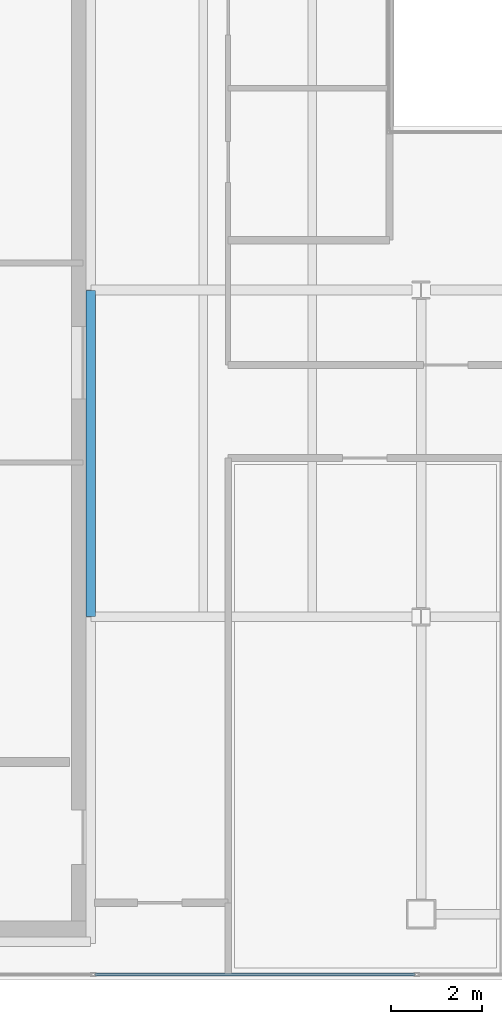
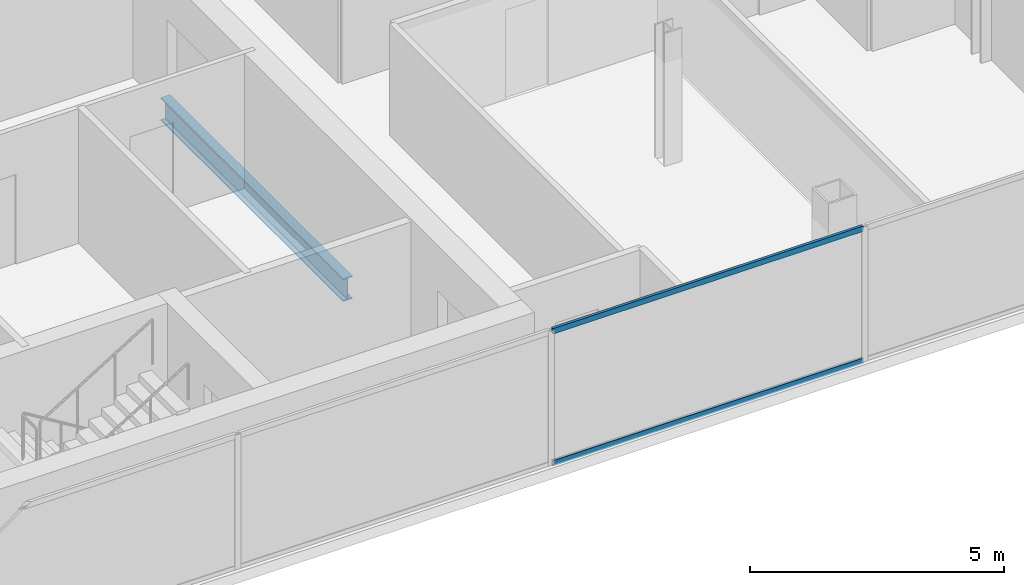
# One storey, part 4 of 23: 2 members, 1 beam, 1 element without a shape of its own.
"""IFC4 building model written with IfcOpenShell, lengths in metres."""

from ifc_helpers import new_model, si_unit, direction, frame, origin, origin_2d, place, context, subcontext, project, spatial, hollow_rectangle, i_section, extrude, material, material_profile, profile_set, type_object, element, aggregate, save


model = new_model("IFC4")

# Units and contexts
model_context = context("Model", 3, precision=1e-05, world=origin(), true_north=direction((0.0, 1.0)))
body_context = subcontext(model_context, "Body", "Model", "MODEL_VIEW")
ifc_project = project(units=[si_unit("LENGTHUNIT", "METRE"), si_unit("AREAUNIT", "SQUARE_METRE"), si_unit("VOLUMEUNIT", "CUBIC_METRE"), si_unit("PLANEANGLEUNIT", "RADIAN"), si_unit("MASSUNIT", "GRAM", prefix="KILO")], contexts=[model_context])

# Site, building, storey
site_placement = place(None, origin())
site = spatial("IfcSite", under=ifc_project, at=site_placement, CompositionType="ELEMENT")
building_placement = place(site_placement, origin())
building = spatial("IfcBuilding", under=site, at=building_placement, Name="Cobrela Telecom Tower", CompositionType="ELEMENT")
storey_placement = place(building_placement, frame((0.0, 0.0, 262.14990234375)))
storey = spatial("IfcBuildingStorey", under=building, at=storey_placement, Name="L68", CompositionType="ELEMENT", Elevation=262.14990234375)

# Beam
ifc_material_1 = material(Name="Steel ASTM A992 Grade 50", Category="steel")
ifc_material_profile_1 = material_profile(ifc_material_1, i_section(OverallWidth=0.212890625, OverallDepth=0.549072265625, WebThickness=0.0146484375, FlangeThickness=0.023681640625, FilletRadius=0.013916015625, at=origin_2d()), Name="W21X93")
ifc_profile_set_1 = profile_set([ifc_material_profile_1], Name="Steel ASTM A992 Grade 50")
beam_type = type_object("IfcBeamType", Name="BM-GIRD-08", PredefinedType="USERDEFINED", material=ifc_profile_set_1)
beam_placement = place(storey_placement, frame((14.320068359375, 14.405029296875, -0.534423828125), z_axis=(0.0, 1.0, 0.0), x_axis=(-1.0, 0.0, 0.0)))
element("IfcBeam", 1, at=beam_placement, inside=storey, type_object=beam_type, Name="L68 Primary Girder Y22", ObjectType="GIRDER", PredefinedType="USERDEFINED", context=body_context, shape_type="SweptSolid", body=[
    extrude(i_section(OverallWidth=0.212890625, OverallDepth=0.549072265625, WebThickness=0.0146484375, FlangeThickness=0.023681640625, FilletRadius=0.013916015625, at=origin_2d()), origin(), (0.0, 0.0, 1.0), 7.18994140625),
])

# Curtain wall, members
ifc_material_2 = material(Name="Anodized Bronze Aluminium 6063-T6", Category="aluminium")
curtain_wall_type = type_object("IfcCurtainWallType", Name="CW-SYS-OFF-HI", PredefinedType="USERDEFINED", material=ifc_material_2)
curtain_wall_placement = place(storey_placement, origin())
curtain_wall = element("IfcCurtainWall", 2, at=curtain_wall_placement, inside=storey, type_object=curtain_wall_type, Name="L68 Unitised Bronze Curtain Wall 15", ObjectType="UNITISED CURTAIN WALL", PredefinedType="USERDEFINED")
ifc_material_profile_2 = material_profile(ifc_material_2, hollow_rectangle(XDim=0.06494140625, YDim=0.1298828125, WallThickness=0.00390625, at=origin_2d()), Name="ALU 65x130x4")
ifc_profile_set_2 = profile_set([ifc_material_profile_2], Name="Anodized Bronze Aluminium 6063-T6")
member_type = type_object("IfcMemberType", Name="CW-SYS-OFF-HI-TRN", PredefinedType="USERDEFINED", material=ifc_profile_set_2)
member_1_placement = place(storey_placement, frame((21.469970703125, 6.52001953125, 0.03271484375), z_axis=(-1.0, 0.0, 0.0), x_axis=(0.0, -1.0, 0.0)))
member_1 = element("IfcMember", 3, at=member_1_placement, type_object=member_type, Name="CW-OFF-HI transom 4.1", ObjectType="TRANSOM", PredefinedType="USERDEFINED", context=body_context, shape_type="SweptSolid", body=[
    extrude(hollow_rectangle(XDim=0.06494140625, YDim=0.1298828125, WallThickness=0.00390625, at=origin_2d()), origin(), (0.0, 0.0, 1.0), 7.058349609375),
])
member_2_placement = place(storey_placement, frame((21.469970703125, 6.52001953125, 3.20751953125), z_axis=(-1.0, 0.0, 0.0), x_axis=(0.0, -1.0, 0.0)))
member_2 = element("IfcMember", 4, at=member_2_placement, type_object=member_type, Name="CW-OFF-HI transom 4.2", ObjectType="TRANSOM", PredefinedType="USERDEFINED", context=body_context, shape_type="SweptSolid", body=[
    extrude(hollow_rectangle(XDim=0.06494140625, YDim=0.1298828125, WallThickness=0.00390625, at=origin_2d()), origin(), (0.0, 0.0, 1.0), 7.058349609375),
])
aggregate(curtain_wall, [member_1, member_2])

save(model, "model.ifc")
